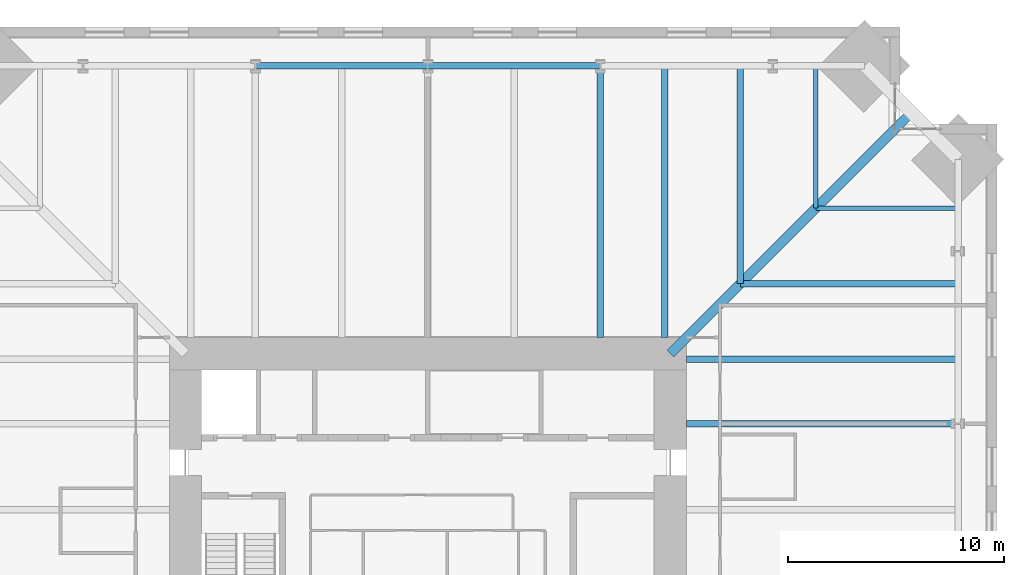
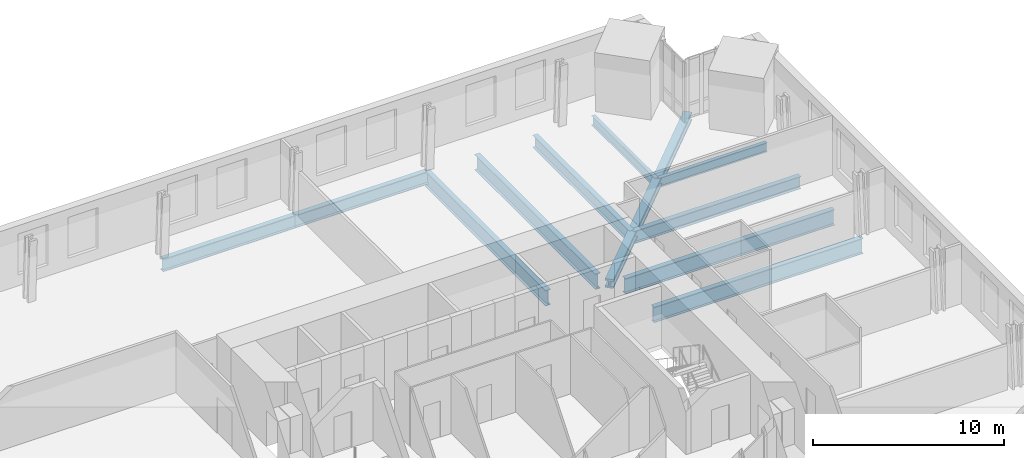
# One storey, part 9 of 18: 11 beams.
"""IFC4 building model written with IfcOpenShell, lengths in metres."""

from ifc_helpers import new_model, si_unit, direction, frame, origin, origin_2d, place, context, subcontext, project, spatial, i_section, extrude, material, material_profile, profile_set, type_object, element, save


model = new_model("IFC4")

# Units and contexts
model_context = context("Model", 3, precision=1e-05, world=origin(), true_north=direction((0.0, 1.0)))
body_context = subcontext(model_context, "Body", "Model", "MODEL_VIEW")
ifc_project = project(units=[si_unit("LENGTHUNIT", "METRE"), si_unit("AREAUNIT", "SQUARE_METRE"), si_unit("VOLUMEUNIT", "CUBIC_METRE"), si_unit("PLANEANGLEUNIT", "RADIAN"), si_unit("MASSUNIT", "GRAM", prefix="KILO")], contexts=[model_context])

# Site, building, storey
site_placement = place(None, origin())
site = spatial("IfcSite", under=ifc_project, at=site_placement, CompositionType="ELEMENT")
building_placement = place(site_placement, origin())
building = spatial("IfcBuilding", under=site, at=building_placement, Name="Peilmerk Tower", CompositionType="ELEMENT")
storey_placement = place(building_placement, frame((0.0, 0.0, 155.800048828125)))
storey = spatial("IfcBuildingStorey", under=building, at=storey_placement, Name="L32", CompositionType="ELEMENT", Elevation=155.800048828125)

# Beams
ifc_material_1 = material(Name="Steel S355", Category="steel")
ifc_material_profile_1 = material_profile(ifc_material_1, i_section(OverallWidth=0.219970703125, OverallDepth=0.60009765625, WebThickness=0.011962890625, FlangeThickness=0.01904296875, at=origin_2d()), Name="IPE 600")
ifc_profile_set_1 = profile_set([ifc_material_profile_1], Name="Steel S355")
beam_type_1 = type_object("IfcBeamType", Name="B10 IPE 600 floor beam", PredefinedType="BEAM", material=ifc_profile_set_1)
for number, where, z_axis, x_axis, name in (
    (1, (18.0, 18.0, -0.469970703125), (0.0, 1.0, 0.0), (-1.0, 0.0, 0.0), "Floor beam L32"),
    (2, (18.0, 18.0, -0.469970703125), (1.0, 0.0, 0.0), (0.0, 1.0, 0.0), "Floor beam L32"),
):
    element("IfcBeam", number, at=place(storey_placement, frame(where, z_axis=z_axis, x_axis=x_axis)), inside=storey, type_object=beam_type_1, Name=name, PredefinedType="BEAM", context=body_context, shape_type="SweptSolid", body=[
        extrude(i_section(OverallWidth=0.219970703125, OverallDepth=0.60009765625, WebThickness=0.011962890625, FlangeThickness=0.01904296875, at=origin_2d()), origin(), (0.0, 0.0, 1.0), 6.614501953125),
    ])
ifc_material_profile_2 = material_profile(ifc_material_1, i_section(OverallWidth=0.300048828125, OverallDepth=0.989990234375, WebThickness=0.0166015625, FlangeThickness=0.031005859375, at=origin_2d()), Name="HEA 1000")
ifc_profile_set_2 = profile_set([ifc_material_profile_2], Name="Steel S355")
beam_type_2 = type_object("IfcBeamType", Name="B14 HEA 1000 floor girder", PredefinedType="BEAM", material=ifc_profile_set_2)
for number, where, z_axis, x_axis, name in (
    (3, (11.0, 12.0, -0.6650390625), (0.0, 1.0, 0.0), (-1.0, 0.0, 0.0), "Floor beam L32"),
    (4, (8.0, 12.0, -0.6650390625), (0.0, 1.0, 0.0), (-1.0, 0.0, 0.0), "Floor beam L32"),
    (5, (12.0, 8.0, -0.6650390625), (1.0, 0.0, 0.0), (0.0, 1.0, 0.0), "Floor beam L32"),
    (6, (12.0, 11.0, -0.6650390625), (1.0, 0.0, 0.0), (0.0, 1.0, 0.0), "Floor beam L32"),
):
    element("IfcBeam", number, at=place(storey_placement, frame(where, z_axis=z_axis, x_axis=x_axis)), inside=storey, type_object=beam_type_2, Name=name, PredefinedType="BEAM", context=body_context, shape_type="SweptSolid", body=[
        extrude(i_section(OverallWidth=0.300048828125, OverallDepth=0.989990234375, WebThickness=0.0166015625, FlangeThickness=0.031005859375, at=origin_2d()), origin(), (0.0, 0.0, 1.0), 12.614501953125),
    ])
ifc_material_profile_3 = material_profile(ifc_material_1, i_section(OverallWidth=0.302978515625, OverallDepth=0.81396484375, WebThickness=0.02099609375, FlangeThickness=0.0400390625, at=origin_2d()), Name="HEM 800")
ifc_profile_set_3 = profile_set([ifc_material_profile_3], Name="Steel S355")
beam_type_3 = type_object("IfcBeamType", Name="B15 HEM 800 edge beam", PredefinedType="SPANDREL", material=ifc_profile_set_3)
for number, where, z_axis, x_axis, name in (
    (7, (8.0, 24.614501953125, -0.5771484375), (-1.0, 0.0, 0.0), (0.0, -1.0, 0.0), "Edge beam L32"),
    (8, (0.0, 24.614501953125, -0.5771484375), (-1.0, 0.0, 0.0), (0.0, -1.0, 0.0), "Edge beam L32"),
):
    element("IfcBeam", number, at=place(storey_placement, frame(where, z_axis=z_axis, x_axis=x_axis)), inside=storey, type_object=beam_type_3, Name=name, PredefinedType="SPANDREL", context=body_context, shape_type="SweptSolid", body=[
        extrude(i_section(OverallWidth=0.302978515625, OverallDepth=0.81396484375, WebThickness=0.02099609375, FlangeThickness=0.0400390625, at=origin_2d()), origin(), (0.0, 0.0, 1.0), 8.0),
    ])
ifc_material_profile_4 = material_profile(ifc_material_1, i_section(OverallWidth=0.300048828125, OverallDepth=0.7900390625, WebThickness=0.014892578125, FlangeThickness=0.028076171875, at=origin_2d()), Name="HEA 800")
ifc_profile_set_4 = profile_set([ifc_material_profile_4], Name="Steel S355")
beam_type_4 = type_object("IfcBeamType", Name="B3 HEA 800 floor beam", PredefinedType="BEAM", material=ifc_profile_set_4)
for number, where, z_axis, x_axis, name in (
    (9, (14.5, 14.5, -0.56494140625), (0.0, 1.0, 0.0), (-1.0, 0.0, 0.0), "Floor beam L32"),
    (10, (14.5, 14.5, -0.56494140625), (1.0, 0.0, 0.0), (0.0, 1.0, 0.0), "Floor beam L32"),
):
    element("IfcBeam", number, at=place(storey_placement, frame(where, z_axis=z_axis, x_axis=x_axis)), inside=storey, type_object=beam_type_4, Name=name, PredefinedType="BEAM", context=body_context, shape_type="SweptSolid", body=[
        extrude(i_section(OverallWidth=0.300048828125, OverallDepth=0.7900390625, WebThickness=0.014892578125, FlangeThickness=0.028076171875, at=origin_2d()), origin(), (0.0, 0.0, 1.0), 10.114501953125),
    ])
ifc_material_2 = material(Name="Steel S460", Category="steel")
ifc_material_profile_5 = material_profile(ifc_material_2, i_section(OverallWidth=0.4541015625, OverallDepth=0.569091796875, WebThickness=0.077880859375, FlangeThickness=0.125, at=origin_2d()), Name="HD 400x1086")
ifc_profile_set_5 = profile_set([ifc_material_profile_5], Name="Steel S460")
beam_type_5 = type_object("IfcBeamType", Name="B9 HD 400x1086 corner girder", PredefinedType="BEAM", material=ifc_profile_set_5)
beam_placement = place(storey_placement, frame((11.25, 11.25, -0.45458984375), z_axis=(0.707106781187, 0.707106781187, 0.0), x_axis=(-0.707106781187, 0.707106781187, 0.0)))
element("IfcBeam", 11, at=beam_placement, inside=storey, type_object=beam_type_5, Name="Corner girder L32", PredefinedType="BEAM", context=body_context, shape_type="SweptSolid", body=[
    extrude(i_section(OverallWidth=0.4541015625, OverallDepth=0.569091796875, WebThickness=0.077880859375, FlangeThickness=0.125, at=origin_2d()), origin(), (0.0, 0.0, 1.0), 15.82421875),
])

save(model, "model.ifc")
